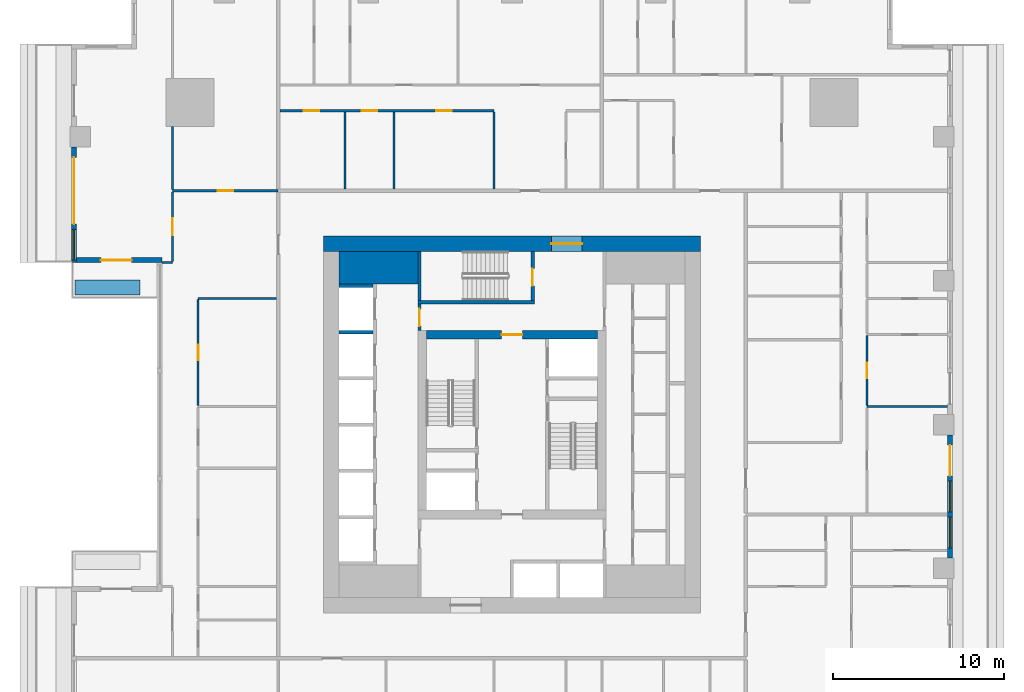
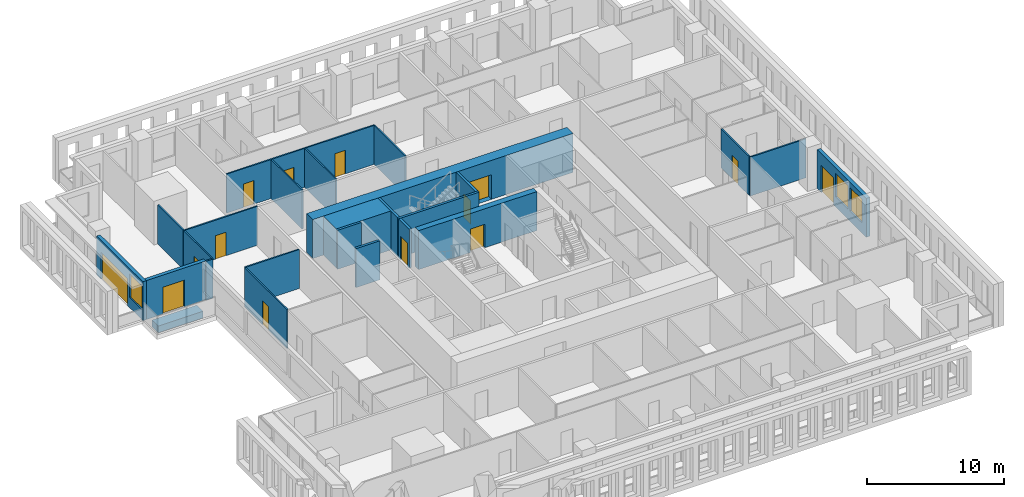
# One storey, part 6 of 14: 25 walls, 14 doors, 3 windows, 17 openings.
"""IFC4 building model written with IfcOpenShell, lengths in metres."""

import ifcopenshell
import ifcopenshell.guid

model = None  # the IFC model being written
_history = None  # IfcOwnerHistory: only IFC2X3 demands one
_inside = {}  # id of a spatial element -> (the spatial element, [elements in it])
_under = {}  # id of a project, library or spatial element -> (it, [spatial elements below it])
_declared = {}  # id of a project -> (the project, [libraries it declares])
_typed = {}  # id of a type object -> (the type object, [elements of that type])
_made_of = {}  # id of a material, layer set ... -> (it, [elements and type objects made of it])


def new_model(schema):
    """Start an empty IFC model of exactly this schema.

    Asked for "IFC4X3", IfcOpenShell would pick the latest addendum, in which some entities
    have other attributes; the version numbers below select the first issue.
    IFC2X3 requires an IfcOwnerHistory on every rooted entity: one is made here for all.
    """
    global model, _history
    if schema == "IFC4X3":
        model = ifcopenshell.file(schema_version=(4, 3, 0, 0))
    else:
        model = ifcopenshell.file(schema=schema)
    _inside.clear()
    _under.clear()
    _declared.clear()
    _typed.clear()
    _made_of.clear()
    _history = None
    if model.schema == "IFC2X3":
        org = make("IfcOrganization", Name="unknown")
        user = make(
            "IfcPersonAndOrganization",
            ThePerson=make("IfcPerson", FamilyName="unknown"),
            TheOrganization=org,
        )
        app = make(
            "IfcApplication",
            ApplicationDeveloper=org,
            Version="unknown",
            ApplicationFullName="unknown",
            ApplicationIdentifier="unknown",
        )
        _history = make(
            "IfcOwnerHistory",
            OwningUser=user,
            OwningApplication=app,
            ChangeAction="ADDED",
            CreationDate=0,
        )
    return model


def make(cls, **values):
    """One entity of the class cls with the attributes given. An attribute that is None is left unset."""
    return model.create_entity(
        cls, **{name: value for name, value in values.items() if value is not None}
    )


def rooted(cls, **values):
    """An entity with a GlobalId (a new one), such as an element, a storey or a relation."""
    return make(cls, GlobalId=ifcopenshell.guid.new(), OwnerHistory=_history, **values)


def si_unit(unit_type, name, prefix=None):
    """IfcSIUnit, for example si_unit("LENGTHUNIT", "METRE", prefix="MILLI")."""
    return make("IfcSIUnit", UnitType=unit_type, Prefix=prefix, Name=name)


def assignment(units):
    """IfcUnitAssignment: the units of a project."""
    return None if units is None else make("IfcUnitAssignment", Units=units)


def point(xyz):
    """IfcCartesianPoint."""
    return None if xyz is None else make("IfcCartesianPoint", Coordinates=xyz)


def direction(xyz):
    """IfcDirection."""
    return None if xyz is None else make("IfcDirection", DirectionRatios=xyz)


def frame(location, z_axis=None, x_axis=None):
    """IfcAxis2Placement3D, a coordinate frame: its origin and axes. An axis left out is left unset."""
    return make(
        "IfcAxis2Placement3D",
        Location=point(location),
        Axis=direction(z_axis),
        RefDirection=direction(x_axis),
    )


def frame_2d(location, x_axis=None):
    """IfcAxis2Placement2D, a coordinate frame in the plane: its origin and x axis."""
    return make(
        "IfcAxis2Placement2D", Location=point(location), RefDirection=direction(x_axis)
    )


def origin():
    """The frame at (0, 0, 0) with its axes left unset."""
    return frame((0.0, 0.0, 0.0))


def place(relative_to, where):
    """IfcLocalPlacement: puts the frame where relative to a parent placement (None: the world)."""
    return make(
        "IfcLocalPlacement", PlacementRelTo=relative_to, RelativePlacement=where
    )


def context(
    kind, dimensions, precision=None, world=None, true_north=None, identifier=None
):
    """IfcGeometricRepresentationContext, for example the 3D "Model" context."""
    return make(
        "IfcGeometricRepresentationContext",
        ContextIdentifier=identifier,
        ContextType=kind,
        CoordinateSpaceDimension=dimensions,
        Precision=precision,
        WorldCoordinateSystem=world,
        TrueNorth=true_north,
    )


def subcontext(parent, identifier, kind, view, scale=None):
    """IfcGeometricRepresentationSubContext, for example "Body" below "Model"."""
    return make(
        "IfcGeometricRepresentationSubContext",
        ContextIdentifier=identifier,
        ContextType=kind,
        ParentContext=parent,
        TargetScale=scale,
        TargetView=view,
    )


def project(units=None, contexts=None):
    """IfcProject with its units and contexts."""
    return rooted(
        "IfcProject",
        Name="project",
        RepresentationContexts=contexts,
        UnitsInContext=assignment(units),
    )


def spatial(cls, under=None, at=None, **own):
    """A site, building, storey or space (cls), placed at a placement, below another one or the project."""
    s = rooted(cls, ObjectPlacement=at, **own)
    if under is not None:
        _under.setdefault(under.id(), (under, []))[1].append(s)
    return s


def profile(cls, at=None, kind="AREA", **sizes):
    """A parametric profile (cls). Its sizes go by their IFC names, for example OverallWidth=200.0."""
    return make(cls, ProfileType=kind, Position=at, **sizes)


def rectangle(**sizes):
    """IfcRectangleProfileDef."""
    return profile("IfcRectangleProfileDef", **sizes)


def extrude(swept, where, along, depth):
    """IfcExtrudedAreaSolid: the profile swept, set in the frame where, extruded along a direction by depth."""
    return make(
        "IfcExtrudedAreaSolid",
        SweptArea=swept,
        Position=where,
        ExtrudedDirection=direction(along),
        Depth=depth,
    )


def shape(context_of_items, identifier, shape_type, items):
    """IfcShapeRepresentation: the items that make up one representation, for example the "Body"."""
    return make(
        "IfcShapeRepresentation",
        ContextOfItems=context_of_items,
        RepresentationIdentifier=identifier,
        RepresentationType=shape_type,
        Items=items,
    )


def material(Name=None, Category=None):
    """IfcMaterial."""
    return make("IfcMaterial", Name=Name, Category=Category)


def layer(
    of_material, thickness, ventilated=None, Name=None, Category=None, Priority=None
):
    """IfcMaterialLayer: one layer of a wall or slab, of a material (None: an air gap)."""
    return make(
        "IfcMaterialLayer",
        Material=of_material,
        LayerThickness=thickness,
        IsVentilated=ventilated,
        Name=Name,
        Category=Category,
        Priority=Priority,
    )


def layer_set(layers, Name=None):
    """IfcMaterialLayerSet."""
    return make("IfcMaterialLayerSet", MaterialLayers=layers, LayerSetName=Name)


def made_of(thing, what):
    """Note that an element or type object is made of a material, layer set ...; save() writes the relation."""
    if what is not None:
        _made_of.setdefault(what.id(), (what, []))[1].append(thing)
    return thing


def type_object(cls, material=None, **own):
    """A type object (cls), such as IfcWallType, which elements share."""
    return made_of(rooted(cls, **own), material)


def element(
    cls,
    number,
    at=None,
    inside=None,
    cuts=None,
    type_object=None,
    material=None,
    context=None,
    identifier="Body",
    shape_type=None,
    held_by="IfcProductDefinitionShape",
    body=None,
    shapes=None,
    **own,
):
    """One element of the class cls, such as IfcWall. Its Tag is "e" and its number.

    at: its placement. inside: the storey or other place that contains it. cuts: it is an
    opening in that element (IfcRelVoidsElement). A single representation is given by context,
    identifier, shape_type and body (its items); several are given by shapes. held_by: the class
    of the entity that holds the representations. save() writes the other relations.
    """
    e = rooted(cls, Tag="e%d" % number, ObjectPlacement=at, **own)
    if body is not None:
        shapes = [shape(context, identifier, shape_type, body)]
    if shapes is not None:
        e.Representation = make(held_by, Representations=shapes)
    if inside is not None:
        _inside.setdefault(inside.id(), (inside, []))[1].append(e)
    if cuts is not None:
        rooted(
            "IfcRelVoidsElement", RelatingBuildingElement=cuts, RelatedOpeningElement=e
        )
    if type_object is not None:
        _typed.setdefault(type_object.id(), (type_object, []))[1].append(e)
    return made_of(e, material)


def fill(opening, filler):
    """IfcRelFillsElement: the door or window that sits in an opening."""
    return rooted(
        "IfcRelFillsElement",
        RelatingOpeningElement=opening,
        RelatedBuildingElement=filler,
    )


def aggregate(whole, parts):
    """IfcRelAggregates: a whole, such as a stair, and the parts it consists of."""
    return rooted("IfcRelAggregates", RelatingObject=whole, RelatedObjects=parts)


def save(model, path):
    """Write the relations noted so far, then the file.

    IfcRelAggregates (storeys below a building ...), IfcRelContainedInSpatialStructure (elements
    in a storey), IfcRelDefinesByType, IfcRelAssociatesMaterial and IfcRelDeclares: one each for
    every whole, place, type object, material and project.
    """
    for whole, parts in _under.values():
        aggregate(whole, parts)
    for where, things in _inside.values():
        rooted(
            "IfcRelContainedInSpatialStructure",
            RelatedElements=things,
            RelatingStructure=where,
        )
    for kind, things in _typed.values():
        rooted("IfcRelDefinesByType", RelatedObjects=things, RelatingType=kind)
    for what, things in _made_of.values():
        rooted("IfcRelAssociatesMaterial", RelatedObjects=things, RelatingMaterial=what)
    for by, libraries in _declared.values():
        rooted("IfcRelDeclares", RelatingContext=by, RelatedDefinitions=libraries)
    model.write(path)


model = new_model("IFC4")

# Units and contexts
model_context = context("Model", 3, precision=1e-05, world=origin(), true_north=direction((0.0, 1.0)))
body_context = subcontext(model_context, "Body", "Model", "MODEL_VIEW")
ifc_project = project(units=[si_unit("LENGTHUNIT", "METRE"), si_unit("AREAUNIT", "SQUARE_METRE"), si_unit("VOLUMEUNIT", "CUBIC_METRE"), si_unit("PLANEANGLEUNIT", "RADIAN"), si_unit("MASSUNIT", "GRAM", prefix="KILO")], contexts=[model_context])

# Site, building, storey
site_placement = place(None, origin())
site = spatial("IfcSite", under=ifc_project, at=site_placement, CompositionType="ELEMENT")
building_placement = place(site_placement, origin())
building = spatial("IfcBuilding", under=site, at=building_placement, Name="Khepri Terraces", CompositionType="ELEMENT")
storey_placement = place(building_placement, frame((0.0, 0.0, 102.60009765625)))
storey = spatial("IfcBuildingStorey", under=building, at=storey_placement, Name="L24", CompositionType="ELEMENT", Elevation=102.60009765625)

# Walls
ifc_material_1 = material(Name="Concrete C70/85", Category="concrete")
ifc_layer_1 = layer(ifc_material_1, 1.89990234375, Name="Concrete C70/85", Category="concrete")
ifc_layer_set_1 = layer_set([ifc_layer_1], Name="Concrete C70/85")
wall_type_1 = type_object("IfcWallType", Name="Core wall 1900 C70/85", PredefinedType="SHEAR", material=ifc_layer_set_1)
wall_1_placement = place(storey_placement, frame((-10.10009765625, 9.14990234375, 0.0), z_axis=(0.0, 0.0, 1.0), x_axis=(1.0, 0.0, 0.0)))
element("IfcWall", 1, at=wall_1_placement, inside=storey, type_object=wall_type_1, Name="Core wall PR03 L24", PredefinedType="SHEAR", context=body_context, shape_type="SweptSolid", body=[
    extrude(rectangle(XDim=4.60009765625, YDim=1.89990234375, at=frame_2d((2.300048828125, 0.0))), origin(), (0.0, 0.0, 1.0), 3.47998046875),
])
ifc_layer_2 = layer(ifc_material_1, 0.199951171875, Name="Concrete C70/85", Category="concrete")
ifc_layer_set_2 = layer_set([ifc_layer_2], Name="Concrete C70/85")
wall_type_2 = type_object("IfcWallType", Name="Core wall 200 C70/85", PredefinedType="SHEAR", material=ifc_layer_set_2)
wall_2_placement = place(storey_placement, frame((-5.5, 7.14990234375, 0.0), z_axis=(0.0, 0.0, 1.0), x_axis=(1.0, 0.0, 0.0)))
element("IfcWall", 2, at=wall_2_placement, inside=storey, type_object=wall_type_2, Name="Core wall ST05 L24", PredefinedType="SHEAR", context=body_context, shape_type="SweptSolid", body=[
    extrude(rectangle(XDim=6.800048828125, YDim=0.199951171875, at=frame_2d((3.39990234375, 0.0))), origin(), (0.0, 0.0, 1.0), 3.47998046875),
])
wall_3_placement = place(storey_placement, frame((-5.39990234375, 7.25, 0.0), z_axis=(0.0, 0.0, 1.0), x_axis=(0.0, 1.0, 0.0)))
element("IfcWall", 3, at=wall_3_placement, inside=storey, type_object=wall_type_2, Name="Core wall ST06 L24", PredefinedType="SHEAR", context=body_context, shape_type="SweptSolid", body=[
    extrude(rectangle(XDim=2.85009765625, YDim=0.199951171875, at=frame_2d((1.425048828125, 0.0))), origin(), (0.0, 0.0, 1.0), 3.47998046875),
])

# Wall, opening, door
wall_4_placement = place(storey_placement, frame((1.199951171875, 7.25, 0.0), z_axis=(0.0, 0.0, 1.0), x_axis=(0.0, 1.0, 0.0)))
wall_4 = element("IfcWall", 4, at=wall_4_placement, inside=storey, type_object=wall_type_2, Name="Core wall ST07 L24", PredefinedType="SHEAR", context=body_context, shape_type="SweptSolid", body=[
    extrude(rectangle(XDim=2.85009765625, YDim=0.199951171875, at=frame_2d((1.425048828125, 0.0))), origin(), (0.0, 0.0, 1.0), 3.47998046875),
])
opening_1_placement = place(wall_4_placement, frame((0.85009765625, 0.0, 0.0)))
opening_1 = element("IfcOpeningElement", 5, at=opening_1_placement, cuts=wall_4, Name="Opening L24-C15", PredefinedType="OPENING", context=body_context, shape_type="SweptSolid", body=[
    extrude(rectangle(XDim=1.0, YDim=2.10009765625, at=frame_2d((0.5, 1.050048828125))), frame((0.0, 0.10986328125, 0.0), z_axis=(0.0, -1.0, 0.0), x_axis=(1.0, 0.0, 0.0)), (0.0, 0.0, 1.0), 0.219970703125),
])
ifc_material_2 = material(Name="Painted steel", Category="steel")
door_type_1 = type_object("IfcDoorType", Name="DR-CORE-STAIR-1000", OperationType="NOTDEFINED", PredefinedType="DOOR", material=ifc_material_2)
door_1_placement = place(opening_1_placement, origin())
door_1 = element("IfcDoor", 6, at=door_1_placement, inside=storey, type_object=door_type_1, Name="Stair door L24-C15", OperationType="SINGLE_SWING_LEFT", OverallHeight=2.10009765625, OverallWidth=1.0, PredefinedType="DOOR", context=body_context, shape_type="SweptSolid", body=[
    extrude(rectangle(XDim=1.0, YDim=2.10009765625, at=frame_2d((0.5, 1.050048828125))), frame((0.0, 0.02490234375, 0.0), z_axis=(0.0, -1.0, 0.0), x_axis=(1.0, 0.0, 0.0)), (0.0, 0.0, 1.0), 0.050048828125),
])
fill(opening_1, door_1)

# Walls
for number, where, z_axis, x_axis, name in (
    (7, (-10.10009765625, 5.39990234375, 0.0), (0.0, 0.0, 1.0), (1.0, 0.0, 0.0), "Core wall SH19 L24"),
    (8, (-10.10009765625, 8.10009765625, 0.0), (0.0, 0.0, 1.0), (1.0, 0.0, 0.0), "Core wall SH20 L24"),
):
    element("IfcWall", number, at=place(storey_placement, frame(where, z_axis=z_axis, x_axis=x_axis)), inside=storey, type_object=wall_type_2, Name=name, PredefinedType="SHEAR", context=body_context, shape_type="SweptSolid", body=[
        extrude(rectangle(XDim=2.0, YDim=0.199951171875, at=frame_2d((1.0, 0.0))), origin(), (0.0, 0.0, 1.0), 3.47998046875),
    ])

# Wall, opening, door
ifc_layer_3 = layer(ifc_material_1, 0.5, Name="Concrete C70/85", Category="concrete")
ifc_layer_set_3 = layer_set([ifc_layer_3], Name="Concrete C70/85")
wall_type_3 = type_object("IfcWallType", Name="Core wall 500 C70/85", PredefinedType="SHEAR", material=ifc_layer_set_3)
wall_5_placement = place(storey_placement, frame((-5.0, 5.25, 0.0), z_axis=(0.0, 0.0, 1.0), x_axis=(1.0, 0.0, 0.0)))
wall_5 = element("IfcWall", 9, at=wall_5_placement, inside=storey, type_object=wall_type_3, Name="Core wall BX04 L24", PredefinedType="SHEAR", context=body_context, shape_type="SweptSolid", body=[
    extrude(rectangle(XDim=10.0, YDim=0.5, at=frame_2d((5.0, 0.0))), origin(), (0.0, 0.0, 1.0), 3.47998046875),
])
opening_2_placement = place(wall_5_placement, frame((4.39990234375, 0.0, 0.0)))
opening_2 = element("IfcOpeningElement", 10, at=opening_2_placement, cuts=wall_5, Name="Opening L24-C13", PredefinedType="OPENING", context=body_context, shape_type="SweptSolid", body=[
    extrude(rectangle(XDim=1.199951171875, YDim=2.10009765625, at=frame_2d((0.60009765625, 1.050048828125))), frame((0.0, 0.260009765625, 0.0), z_axis=(0.0, -1.0, 0.0), x_axis=(1.0, 0.0, 0.0)), (0.0, 0.0, 1.0), 0.52001953125),
])
door_type_2 = type_object("IfcDoorType", Name="DR-CORE-FF-LOBBY-1200", OperationType="NOTDEFINED", PredefinedType="DOOR", material=ifc_material_2)
door_2_placement = place(opening_2_placement, frame((1.199951171875, 0.0, 0.0), z_axis=(0.0, 0.0, 1.0), x_axis=(-1.0, 0.0, 0.0)))
door_2 = element("IfcDoor", 11, at=door_2_placement, inside=storey, type_object=door_type_2, Name="Firefighting lobby door L24-C13", OperationType="SINGLE_SWING_LEFT", OverallHeight=2.10009765625, OverallWidth=1.199951171875, PredefinedType="DOOR", context=body_context, shape_type="SweptSolid", body=[
    extrude(rectangle(XDim=1.199951171875, YDim=2.10009765625, at=frame_2d((0.60009765625, 1.050048828125))), frame((0.0, 0.02490234375, 0.0), z_axis=(0.0, -1.0, 0.0), x_axis=(1.0, 0.0, 0.0)), (0.0, 0.0, 1.0), 0.050048828125),
])
fill(opening_2, door_2)

ifc_layer_4 = layer(ifc_material_1, 0.89990234375, Name="Concrete C70/85", Category="concrete")
ifc_layer_set_4 = layer_set([ifc_layer_4], Name="Concrete C70/85")
wall_type_4 = type_object("IfcWallType", Name="Core wall 900 C70/85", PredefinedType="SHEAR", material=ifc_layer_set_4)
wall_6_placement = place(storey_placement, frame((-11.0, 10.550048828125, 0.0), z_axis=(0.0, 0.0, 1.0), x_axis=(1.0, 0.0, 0.0)))
wall_6 = element("IfcWall", 12, at=wall_6_placement, inside=storey, type_object=wall_type_4, Name="Core wall OW-N L24", PredefinedType="SHEAR", context=body_context, shape_type="SweptSolid", body=[
    extrude(rectangle(XDim=22.0, YDim=0.89990234375, at=frame_2d((11.0, 0.0))), origin(), (0.0, 0.0, 1.0), 3.47998046875),
])
opening_3_placement = place(wall_6_placement, frame((13.300048828125, 0.0, 0.0)))
opening_3 = element("IfcOpeningElement", 13, at=opening_3_placement, cuts=wall_6, Name="Opening L24-C20", PredefinedType="OPENING", context=body_context, shape_type="SweptSolid", body=[
    extrude(rectangle(XDim=1.800048828125, YDim=2.199951171875, at=frame_2d((0.89990234375, 1.10009765625))), frame((0.0, 0.4599609375, 0.0), z_axis=(0.0, -1.0, 0.0), x_axis=(1.0, 0.0, 0.0)), (0.0, 0.0, 1.0), 0.919921875),
])
door_type_3 = type_object("IfcDoorType", Name="DR-CORE-ENTRANCE-1800", OperationType="NOTDEFINED", PredefinedType="DOOR", material=ifc_material_2)
door_3_placement = place(opening_3_placement, origin())
door_3 = element("IfcDoor", 14, at=door_3_placement, inside=storey, type_object=door_type_3, Name="Core entrance door pair L24-C20", OperationType="DOUBLE_DOOR_SINGLE_SWING", OverallHeight=2.199951171875, OverallWidth=1.800048828125, PredefinedType="DOOR", context=body_context, shape_type="SweptSolid", body=[
    extrude(rectangle(XDim=1.800048828125, YDim=2.199951171875, at=frame_2d((0.89990234375, 1.10009765625))), frame((0.0, 0.02490234375, 0.0), z_axis=(0.0, -1.0, 0.0), x_axis=(1.0, 0.0, 0.0)), (0.0, 0.0, 1.0), 0.050048828125),
])
fill(opening_3, door_3)

ifc_material_3 = material(Name="Fire-rated gypsum board partition")
ifc_layer_5 = layer(ifc_material_3, 0.199951171875, Name="Fire-rated gypsum board partition")
ifc_layer_set_5 = layer_set([ifc_layer_5], Name="Fire-rated gypsum board partition")
wall_type_5 = type_object("IfcWallType", Name="WL-CORE-PART-200", PredefinedType="PARTITIONING", material=ifc_layer_set_5)
wall_7_placement = place(storey_placement, frame((-5.39990234375, 5.5, 0.0), z_axis=(0.0, 0.0, 1.0), x_axis=(0.0, 1.0, 0.0)))
wall_7 = element("IfcWall", 15, at=wall_7_placement, inside=storey, type_object=wall_type_5, Name="Core partition PT08 L24", PredefinedType="PARTITIONING", context=body_context, shape_type="SweptSolid", body=[
    extrude(rectangle(XDim=1.550048828125, YDim=0.199951171875, at=frame_2d((0.77490234375, 0.0))), origin(), (0.0, 0.0, 1.0), 3.47998046875),
])
opening_4_placement = place(wall_7_placement, frame((0.25, 0.0, 0.0)))
opening_4 = element("IfcOpeningElement", 16, at=opening_4_placement, cuts=wall_7, Name="Opening L24-C16", PredefinedType="OPENING", context=body_context, shape_type="SweptSolid", body=[
    extrude(rectangle(XDim=1.0, YDim=2.10009765625, at=frame_2d((0.5, 1.050048828125))), frame((0.0, 0.10986328125, 0.0), z_axis=(0.0, -1.0, 0.0), x_axis=(1.0, 0.0, 0.0)), (0.0, 0.0, 1.0), 0.219970703125),
])
door_type_4 = type_object("IfcDoorType", Name="DR-CORE-LOBBY-1000", OperationType="NOTDEFINED", PredefinedType="DOOR", material=ifc_material_2)
door_4_placement = place(opening_4_placement, frame((1.0, 0.0, 0.0), z_axis=(0.0, 0.0, 1.0), x_axis=(-1.0, 0.0, 0.0)))
door_4 = element("IfcDoor", 17, at=door_4_placement, inside=storey, type_object=door_type_4, Name="Lobby door L24-C16", OperationType="SINGLE_SWING_RIGHT", OverallHeight=2.10009765625, OverallWidth=1.0, PredefinedType="DOOR", context=body_context, shape_type="SweptSolid", body=[
    extrude(rectangle(XDim=1.0, YDim=2.10009765625, at=frame_2d((0.5, 1.050048828125))), frame((0.0, 0.02490234375, 0.0), z_axis=(0.0, -1.0, 0.0), x_axis=(1.0, 0.0, 0.0)), (0.0, 0.0, 1.0), 0.050048828125),
])
fill(opening_4, door_4)

# Wall, openings, door, windows
ifc_material_4 = material(Name="Precast concrete C50/60 warm stone", Category="masonry")
ifc_layer_6 = layer(ifc_material_4, 0.300048828125, Name="Precast concrete C50/60 warm stone", Category="masonry")
ifc_layer_set_6 = layer_set([ifc_layer_6], Name="Precast concrete C50/60 warm stone")
wall_type_6 = type_object("IfcWallType", Name="WL-EXT-PRECAST-300", PredefinedType="STANDARD", material=ifc_layer_set_6)
wall_8_placement = place(storey_placement, frame((25.570068359375, -7.800048828125, 0.0), z_axis=(0.0, 0.0, 1.0), x_axis=(0.0, 1.0, 0.0)))
wall_8 = element("IfcWall", 18, at=wall_8_placement, inside=storey, type_object=wall_type_6, Name="External wall L24 E", PredefinedType="STANDARD", context=body_context, shape_type="SweptSolid", body=[
    extrude(rectangle(XDim=7.199951171875, YDim=0.300048828125, at=frame_2d((3.60009765625, 0.0))), origin(), (0.0, 0.0, 1.0), 3.47998046875),
])
opening_5_placement = place(wall_8_placement, frame((0.60009765625, 0.0, 0.89990234375)))
opening_5 = element("IfcOpeningElement", 19, at=opening_5_placement, cuts=wall_8, Name="Opening W1", PredefinedType="OPENING", context=body_context, shape_type="SweptSolid", body=[
    extrude(rectangle(XDim=1.800048828125, YDim=2.10009765625, at=frame_2d((0.89990234375, 1.050048828125))), frame((0.0, 0.16015625, 0.0), z_axis=(0.0, -1.0, 0.0), x_axis=(1.0, 0.0, 0.0)), (0.0, 0.0, 1.0), 0.320068359375),
])
opening_6_placement = place(wall_8_placement, frame((2.699951171875, 0.0, 0.89990234375)))
opening_6 = element("IfcOpeningElement", 20, at=opening_6_placement, cuts=wall_8, Name="Opening W1", PredefinedType="OPENING", context=body_context, shape_type="SweptSolid", body=[
    extrude(rectangle(XDim=1.800048828125, YDim=2.10009765625, at=frame_2d((0.89990234375, 1.050048828125))), frame((0.0, 0.16015625, 0.0), z_axis=(0.0, -1.0, 0.0), x_axis=(1.0, 0.0, 0.0)), (0.0, 0.0, 1.0), 0.320068359375),
])
opening_7_placement = place(wall_8_placement, frame((4.800048828125, 0.0, 0.0)))
opening_7 = element("IfcOpeningElement", 21, at=opening_7_placement, cuts=wall_8, Name="Opening ED-L24-04", PredefinedType="OPENING", context=body_context, shape_type="SweptSolid", body=[
    extrude(rectangle(XDim=1.800048828125, YDim=2.39990234375, at=frame_2d((0.89990234375, 1.199951171875))), frame((0.0, 0.16015625, 0.0), z_axis=(0.0, -1.0, 0.0), x_axis=(1.0, 0.0, 0.0)), (0.0, 0.0, 1.0), 0.320068359375),
])
ifc_material_5 = material(Name="Anodised aluminium bronze glazed door", Category="aluminium")
door_type_5 = type_object("IfcDoorType", Name="DR-BAL-SLIDE-1800x2400", OperationType="NOTDEFINED", PredefinedType="DOOR", material=ifc_material_5)
door_5_placement = place(opening_7_placement, origin())
door_5 = element("IfcDoor", 22, at=door_5_placement, inside=storey, type_object=door_type_5, Name="Balcony door L24 E", OperationType="SLIDING_TO_RIGHT", OverallHeight=2.39990234375, OverallWidth=1.800048828125, PredefinedType="DOOR", context=body_context, shape_type="SweptSolid", body=[
    extrude(rectangle(XDim=1.800048828125, YDim=2.39990234375, at=frame_2d((0.89990234375, 1.199951171875))), frame((0.0, 0.02490234375, 0.0), z_axis=(0.0, -1.0, 0.0), x_axis=(1.0, 0.0, 0.0)), (0.0, 0.0, 1.0), 0.050048828125),
])
fill(opening_7, door_5)
ifc_material_6 = material(Name="Clear glass", Category="glass")
window_type = type_object("IfcWindowType", Name="WIN-RES-1800x2100", PartitioningType="SINGLE_PANEL", PredefinedType="WINDOW", material=ifc_material_6)
window_1_placement = place(opening_5_placement, origin())
window_1 = element("IfcWindow", 23, at=window_1_placement, inside=storey, type_object=window_type, Name="Window L24 E", OverallHeight=2.10009765625, OverallWidth=1.800048828125, PartitioningType="SINGLE_PANEL", PredefinedType="WINDOW", context=body_context, shape_type="SweptSolid", body=[
    extrude(rectangle(XDim=1.800048828125, YDim=2.10009765625, at=frame_2d((0.89990234375, 1.050048828125))), frame((0.0, 0.030029296875, 0.0), z_axis=(0.0, -1.0, 0.0), x_axis=(1.0, 0.0, 0.0)), (0.0, 0.0, 1.0), 0.06005859375),
])
fill(opening_5, window_1)
window_2_placement = place(opening_6_placement, origin())
window_2 = element("IfcWindow", 24, at=window_2_placement, inside=storey, type_object=window_type, Name="Window L24 E", OverallHeight=2.10009765625, OverallWidth=1.800048828125, PartitioningType="SINGLE_PANEL", PredefinedType="WINDOW", context=body_context, shape_type="SweptSolid", body=[
    extrude(rectangle(XDim=1.800048828125, YDim=2.10009765625, at=frame_2d((0.89990234375, 1.050048828125))), frame((0.0, 0.030029296875, 0.0), z_axis=(0.0, -1.0, 0.0), x_axis=(1.0, 0.0, 0.0)), (0.0, 0.0, 1.0), 0.06005859375),
])
fill(opening_6, window_2)

# Wall, openings, door, window
wall_9_placement = place(storey_placement, frame((-25.570068359375, 16.199951171875, 0.0), z_axis=(0.0, 0.0, 1.0), x_axis=(0.0, -1.0, 0.0)))
wall_9 = element("IfcWall", 25, at=wall_9_placement, inside=storey, type_object=wall_type_6, Name="External wall L24 W", PredefinedType="STANDARD", context=body_context, shape_type="SweptSolid", body=[
    extrude(rectangle(XDim=6.75, YDim=0.300048828125, at=frame_2d((3.375, 0.0))), origin(), (0.0, 0.0, 1.0), 3.47998046875),
])
opening_8_placement = place(wall_9_placement, frame((0.60009765625, 0.0, 0.0)))
opening_8 = element("IfcOpeningElement", 26, at=opening_8_placement, cuts=wall_9, Name="Opening ED-L24-15", PredefinedType="OPENING", context=body_context, shape_type="SweptSolid", body=[
    extrude(rectangle(XDim=3.89990234375, YDim=2.39990234375, at=frame_2d((1.949951171875, 1.199951171875))), frame((0.0, 0.16015625, 0.0), z_axis=(0.0, -1.0, 0.0), x_axis=(1.0, 0.0, 0.0)), (0.0, 0.0, 1.0), 0.320068359375),
])
opening_9_placement = place(wall_9_placement, frame((4.800048828125, 0.0, 0.89990234375)))
opening_9 = element("IfcOpeningElement", 27, at=opening_9_placement, cuts=wall_9, Name="Opening W1", PredefinedType="OPENING", context=body_context, shape_type="SweptSolid", body=[
    extrude(rectangle(XDim=1.800048828125, YDim=2.10009765625, at=frame_2d((0.89990234375, 1.050048828125))), frame((0.0, 0.16015625, 0.0), z_axis=(0.0, -1.0, 0.0), x_axis=(1.0, 0.0, 0.0)), (0.0, 0.0, 1.0), 0.320068359375),
])
door_type_6 = type_object("IfcDoorType", Name="DR-BAL-SLIDE-3900x2400", OperationType="NOTDEFINED", PredefinedType="DOOR", material=ifc_material_5)
door_6_placement = place(opening_8_placement, origin())
door_6 = element("IfcDoor", 28, at=door_6_placement, inside=storey, type_object=door_type_6, Name="Balcony door L24 W", OperationType="SLIDING_TO_LEFT", OverallHeight=2.39990234375, OverallWidth=3.89990234375, PredefinedType="DOOR", context=body_context, shape_type="SweptSolid", body=[
    extrude(rectangle(XDim=3.89990234375, YDim=2.39990234375, at=frame_2d((1.949951171875, 1.199951171875))), frame((0.0, 0.02490234375, 0.0), z_axis=(0.0, -1.0, 0.0), x_axis=(1.0, 0.0, 0.0)), (0.0, 0.0, 1.0), 0.050048828125),
])
fill(opening_8, door_6)
window_3_placement = place(opening_9_placement, origin())
window_3 = element("IfcWindow", 29, at=window_3_placement, inside=storey, type_object=window_type, Name="Window L24 W", OverallHeight=2.10009765625, OverallWidth=1.800048828125, PartitioningType="SINGLE_PANEL", PredefinedType="WINDOW", context=body_context, shape_type="SweptSolid", body=[
    extrude(rectangle(XDim=1.800048828125, YDim=2.10009765625, at=frame_2d((0.89990234375, 1.050048828125))), frame((0.0, 0.030029296875, 0.0), z_axis=(0.0, -1.0, 0.0), x_axis=(1.0, 0.0, 0.0)), (0.0, 0.0, 1.0), 0.06005859375),
])
fill(opening_9, window_3)

# Wall, opening, door
wall_10_placement = place(storey_placement, frame((-25.419921875, 9.60009765625, 0.0), z_axis=(0.0, 0.0, 1.0), x_axis=(1.0, 0.0, 0.0)))
wall_10 = element("IfcWall", 30, at=wall_10_placement, inside=storey, type_object=wall_type_6, Name="External wall L24 S", PredefinedType="STANDARD", context=body_context, shape_type="SweptSolid", body=[
    extrude(rectangle(XDim=5.0, YDim=0.300048828125, at=frame_2d((2.5, 0.0))), origin(), (0.0, 0.0, 1.0), 3.47998046875),
])
opening_10_placement = place(wall_10_placement, frame((1.419921875, 0.0, 0.0)))
opening_10 = element("IfcOpeningElement", 31, at=opening_10_placement, cuts=wall_10, Name="Opening ED-L24-16", PredefinedType="OPENING", context=body_context, shape_type="SweptSolid", body=[
    extrude(rectangle(XDim=1.800048828125, YDim=2.39990234375, at=frame_2d((0.89990234375, 1.199951171875))), frame((0.0, 0.16015625, 0.0), z_axis=(0.0, -1.0, 0.0), x_axis=(1.0, 0.0, 0.0)), (0.0, 0.0, 1.0), 0.320068359375),
])
door_7_placement = place(opening_10_placement, origin())
door_7 = element("IfcDoor", 32, at=door_7_placement, inside=storey, type_object=door_type_5, Name="Balcony door L24 S", OperationType="SLIDING_TO_LEFT", OverallHeight=2.39990234375, OverallWidth=1.800048828125, PredefinedType="DOOR", context=body_context, shape_type="SweptSolid", body=[
    extrude(rectangle(XDim=1.800048828125, YDim=2.39990234375, at=frame_2d((0.89990234375, 1.199951171875))), frame((0.0, 0.02490234375, 0.0), z_axis=(0.0, -1.0, 0.0), x_axis=(1.0, 0.0, 0.0)), (0.0, 0.0, 1.0), 0.050048828125),
])
fill(opening_10, door_7)

# Wall
ifc_material_7 = material(Name="Gypsum plasterboard partition")
ifc_layer_7 = layer(ifc_material_7, 0.1201171875, Name="Gypsum plasterboard partition")
ifc_layer_set_7 = layer_set([ifc_layer_7], Name="Gypsum plasterboard partition")
wall_type_7 = type_object("IfcWallType", Name="WL-PART-120", PredefinedType="PARTITIONING", material=ifc_layer_set_7)
wall_11_placement = place(storey_placement, frame((20.719970703125, 1.050048828125, 0.0), z_axis=(0.0, 0.0, 1.0), x_axis=(1.0, 0.0, 0.0)))
element("IfcWall", 33, at=wall_11_placement, inside=storey, type_object=wall_type_7, Name="Partition P-049 L24", PredefinedType="PARTITIONING", context=body_context, shape_type="SweptSolid", body=[
    extrude(rectangle(XDim=4.699951171875, YDim=0.1201171875, at=frame_2d((2.35009765625, 0.0))), origin(), (0.0, 0.0, 1.0), 3.47998046875),
])

# Wall, opening, door
wall_12_placement = place(storey_placement, frame((-18.320068359375, 1.110107421875, 0.0), z_axis=(0.0, 0.0, 1.0), x_axis=(0.0, 1.0, 0.0)))
wall_12 = element("IfcWall", 34, at=wall_12_placement, inside=storey, type_object=wall_type_7, Name="Partition P-050 L24", PredefinedType="PARTITIONING", context=body_context, shape_type="SweptSolid", body=[
    extrude(rectangle(XDim=6.179931640625, YDim=0.1201171875, at=frame_2d((3.08984375, 0.0))), origin(), (0.0, 0.0, 1.0), 3.47998046875),
])
opening_11_placement = place(wall_12_placement, frame((2.639892578125, 0.0, 0.0)))
opening_11 = element("IfcOpeningElement", 35, at=opening_11_placement, cuts=wall_12, Name="Opening D3", PredefinedType="OPENING", context=body_context, shape_type="SweptSolid", body=[
    extrude(rectangle(XDim=0.89990234375, YDim=2.10009765625, at=frame_2d((0.449951171875, 1.050048828125))), frame((0.0, 0.070068359375, 0.0), z_axis=(0.0, -1.0, 0.0), x_axis=(1.0, 0.0, 0.0)), (0.0, 0.0, 1.0), 0.14013671875),
])
ifc_material_8 = material(Name="Timber door leaf", Category="wood")
door_type_7 = type_object("IfcDoorType", Name="DR-INT-900", OperationType="NOTDEFINED", PredefinedType="DOOR", material=ifc_material_8)
door_8_placement = place(opening_11_placement, frame((0.89990234375, 0.0, 0.0), z_axis=(0.0, 0.0, 1.0), x_axis=(-1.0, 0.0, 0.0)))
door_8 = element("IfcDoor", 36, at=door_8_placement, inside=storey, type_object=door_type_7, Name="Door Kitchen", OperationType="SINGLE_SWING_LEFT", OverallHeight=2.10009765625, OverallWidth=0.89990234375, PredefinedType="DOOR", context=body_context, shape_type="SweptSolid", body=[
    extrude(rectangle(XDim=0.89990234375, YDim=2.10009765625, at=frame_2d((0.449951171875, 1.050048828125))), frame((0.0, 0.02490234375, 0.0), z_axis=(0.0, -1.0, 0.0), x_axis=(1.0, 0.0, 0.0)), (0.0, 0.0, 1.0), 0.050048828125),
])
fill(opening_11, door_8)

wall_13_placement = place(storey_placement, frame((20.719970703125, 1.110107421875, 0.0), z_axis=(0.0, 0.0, 1.0), x_axis=(0.0, 1.0, 0.0)))
wall_13 = element("IfcWall", 37, at=wall_13_placement, inside=storey, type_object=wall_type_7, Name="Partition P-051 L24", PredefinedType="PARTITIONING", context=body_context, shape_type="SweptSolid", body=[
    extrude(rectangle(XDim=4.079833984375, YDim=0.1201171875, at=frame_2d((2.0400390625, 0.0))), origin(), (0.0, 0.0, 1.0), 3.47998046875),
])
opening_12_placement = place(wall_13_placement, frame((1.590087890625, 0.0, 0.0)))
opening_12 = element("IfcOpeningElement", 38, at=opening_12_placement, cuts=wall_13, Name="Opening D3", PredefinedType="OPENING", context=body_context, shape_type="SweptSolid", body=[
    extrude(rectangle(XDim=0.89990234375, YDim=2.10009765625, at=frame_2d((0.449951171875, 1.050048828125))), frame((0.0, 0.070068359375, 0.0), z_axis=(0.0, -1.0, 0.0), x_axis=(1.0, 0.0, 0.0)), (0.0, 0.0, 1.0), 0.14013671875),
])
door_9_placement = place(opening_12_placement, frame((0.89990234375, 0.0, 0.0), z_axis=(0.0, 0.0, 1.0), x_axis=(-1.0, 0.0, 0.0)))
door_9 = element("IfcDoor", 39, at=door_9_placement, inside=storey, type_object=door_type_7, Name="Door Master Bedroom", OperationType="SINGLE_SWING_LEFT", OverallHeight=2.10009765625, OverallWidth=0.89990234375, PredefinedType="DOOR", context=body_context, shape_type="SweptSolid", body=[
    extrude(rectangle(XDim=0.89990234375, YDim=2.10009765625, at=frame_2d((0.449951171875, 1.050048828125))), frame((0.0, 0.02490234375, 0.0), z_axis=(0.0, -1.0, 0.0), x_axis=(1.0, 0.0, 0.0)), (0.0, 0.0, 1.0), 0.050048828125),
])
fill(opening_12, door_9)

# Walls
wall_14_placement = place(storey_placement, frame((-18.320068359375, 7.35009765625, 0.0), z_axis=(0.0, 0.0, 1.0), x_axis=(1.0, 0.0, 0.0)))
element("IfcWall", 40, at=wall_14_placement, inside=storey, type_object=wall_type_7, Name="Partition P-056 L24", PredefinedType="PARTITIONING", context=body_context, shape_type="SweptSolid", body=[
    extrude(rectangle(XDim=4.570068359375, YDim=0.1201171875, at=frame_2d((2.28515625, 0.0))), origin(), (0.0, 0.0, 1.0), 3.47998046875),
])
wall_15_placement = place(storey_placement, frame((-20.419921875, 9.449951171875, 0.0), z_axis=(0.0, 0.0, 1.0), x_axis=(1.0, 0.0, 0.0)))
element("IfcWall", 41, at=wall_15_placement, inside=storey, type_object=wall_type_7, Name="Partition P-061 L24", PredefinedType="PARTITIONING", context=body_context, shape_type="SweptSolid", body=[
    extrude(rectangle(XDim=0.599853515625, YDim=0.1201171875, at=frame_2d((0.2998046875, 0.0))), origin(), (0.0, 0.0, 1.0), 3.47998046875),
])

# Wall, opening, door
wall_16_placement = place(storey_placement, frame((-19.820068359375, 9.510009765625, 0.0), z_axis=(0.0, 0.0, 1.0), x_axis=(0.0, 1.0, 0.0)))
wall_16 = element("IfcWall", 42, at=wall_16_placement, inside=storey, type_object=wall_type_7, Name="Partition P-064 L24", PredefinedType="PARTITIONING", context=body_context, shape_type="SweptSolid", body=[
    extrude(rectangle(XDim=4.080078125, YDim=0.1201171875, at=frame_2d((2.0400390625, 0.0))), origin(), (0.0, 0.0, 1.0), 3.47998046875),
])
opening_13_placement = place(wall_16_placement, frame((1.5400390625, 0.0, 0.0)))
opening_13 = element("IfcOpeningElement", 43, at=opening_13_placement, cuts=wall_16, Name="Opening D2", PredefinedType="OPENING", context=body_context, shape_type="SweptSolid", body=[
    extrude(rectangle(XDim=1.0, YDim=2.10009765625, at=frame_2d((0.5, 1.050048828125))), frame((0.0, 0.070068359375, 0.0), z_axis=(0.0, -1.0, 0.0), x_axis=(1.0, 0.0, 0.0)), (0.0, 0.0, 1.0), 0.14013671875),
])
ifc_material_9 = material(Name="Timber door leaf, living room door", Category="wood")
door_type_8 = type_object("IfcDoorType", Name="DR-INT-1000", OperationType="NOTDEFINED", PredefinedType="DOOR", material=ifc_material_9)
door_10_placement = place(opening_13_placement, origin())
door_10 = element("IfcDoor", 44, at=door_10_placement, inside=storey, type_object=door_type_8, Name="Door Living Room", OperationType="SINGLE_SWING_RIGHT", OverallHeight=2.10009765625, OverallWidth=1.0, PredefinedType="DOOR", context=body_context, shape_type="SweptSolid", body=[
    extrude(rectangle(XDim=1.0, YDim=2.10009765625, at=frame_2d((0.5, 1.050048828125))), frame((0.0, 0.02490234375, 0.0), z_axis=(0.0, -1.0, 0.0), x_axis=(1.0, 0.0, 0.0)), (0.0, 0.0, 1.0), 0.050048828125),
])
fill(opening_13, door_10)

wall_17_placement = place(storey_placement, frame((-19.820068359375, 13.64990234375, 0.0), z_axis=(0.0, 0.0, 1.0), x_axis=(1.0, 0.0, 0.0)))
wall_17 = element("IfcWall", 45, at=wall_17_placement, inside=storey, type_object=wall_type_7, Name="Partition P-069 L24", PredefinedType="PARTITIONING", context=body_context, shape_type="SweptSolid", body=[
    extrude(rectangle(XDim=6.170166015625, YDim=0.1201171875, at=frame_2d((3.0849609375, 0.0))), origin(), (0.0, 0.0, 1.0), 3.47998046875),
])
opening_14_placement = place(wall_17_placement, frame((2.635009765625, 0.0, 0.0)))
opening_14 = element("IfcOpeningElement", 46, at=opening_14_placement, cuts=wall_17, Name="Opening D3", PredefinedType="OPENING", context=body_context, shape_type="SweptSolid", body=[
    extrude(rectangle(XDim=0.89990234375, YDim=2.10009765625, at=frame_2d((0.449951171875, 1.050048828125))), frame((0.0, 0.070068359375, 0.0), z_axis=(0.0, -1.0, 0.0), x_axis=(1.0, 0.0, 0.0)), (0.0, 0.0, 1.0), 0.14013671875),
])
door_11_placement = place(opening_14_placement, origin())
door_11 = element("IfcDoor", 47, at=door_11_placement, inside=storey, type_object=door_type_7, Name="Door Library", OperationType="SINGLE_SWING_RIGHT", OverallHeight=2.10009765625, OverallWidth=0.89990234375, PredefinedType="DOOR", context=body_context, shape_type="SweptSolid", body=[
    extrude(rectangle(XDim=0.89990234375, YDim=2.10009765625, at=frame_2d((0.449951171875, 1.050048828125))), frame((0.0, 0.02490234375, 0.0), z_axis=(0.0, -1.0, 0.0), x_axis=(1.0, 0.0, 0.0)), (0.0, 0.0, 1.0), 0.050048828125),
])
fill(opening_14, door_11)

# Walls
wall_18_placement = place(storey_placement, frame((-19.820068359375, 13.7099609375, 0.0), z_axis=(0.0, 0.0, 1.0), x_axis=(0.0, 1.0, 0.0)))
element("IfcWall", 48, at=wall_18_placement, inside=storey, type_object=wall_type_7, Name="Partition P-071 L24", PredefinedType="PARTITIONING", context=body_context, shape_type="SweptSolid", body=[
    extrude(rectangle(XDim=3.68994140625, YDim=0.1201171875, at=frame_2d((1.844970703125, 0.0))), origin(), (0.0, 0.0, 1.0), 3.47998046875),
])
for number, where, z_axis, x_axis, name in (
    (49, (-9.75, 13.75, 0.0), (0.0, 0.0, 1.0), (0.0, 1.0, 0.0), "Partition P-073 L24"),
    (50, (-6.89990234375, 13.75, 0.0), (0.0, 0.0, 1.0), (0.0, 1.0, 0.0), "Partition P-074 L24"),
    (51, (-1.050048828125, 13.75, 0.0), (0.0, 0.0, 1.0), (0.0, 1.0, 0.0), "Partition P-075 L24"),
):
    element("IfcWall", number, at=place(storey_placement, frame(where, z_axis=z_axis, x_axis=x_axis)), inside=storey, type_object=wall_type_7, Name=name, PredefinedType="PARTITIONING", context=body_context, shape_type="SweptSolid", body=[
        extrude(rectangle(XDim=4.510009765625, YDim=0.1201171875, at=frame_2d((2.2548828125, 0.0))), origin(), (0.0, 0.0, 1.0), 3.47998046875),
    ])

# Wall, openings, doors
wall_19_placement = place(storey_placement, frame((-13.550048828125, 18.320068359375, 0.0), z_axis=(0.0, 0.0, 1.0), x_axis=(1.0, 0.0, 0.0)))
wall_19 = element("IfcWall", 52, at=wall_19_placement, inside=storey, type_object=wall_type_7, Name="Partition P-081 L24", PredefinedType="PARTITIONING", context=body_context, shape_type="SweptSolid", body=[
    extrude(rectangle(XDim=12.5, YDim=0.1201171875, at=frame_2d((6.25, 0.0))), origin(), (0.0, 0.0, 1.0), 3.47998046875),
])
opening_15_placement = place(wall_19_placement, frame((9.125, 0.0, 0.0)))
opening_15 = element("IfcOpeningElement", 53, at=opening_15_placement, cuts=wall_19, Name="Opening D3", PredefinedType="OPENING", context=body_context, shape_type="SweptSolid", body=[
    extrude(rectangle(XDim=0.89990234375, YDim=2.10009765625, at=frame_2d((0.449951171875, 1.050048828125))), frame((0.0, 0.070068359375, 0.0), z_axis=(0.0, -1.0, 0.0), x_axis=(1.0, 0.0, 0.0)), (0.0, 0.0, 1.0), 0.14013671875),
])
opening_16_placement = place(wall_19_placement, frame((4.77490234375, 0.0, 0.0)))
opening_16 = element("IfcOpeningElement", 54, at=opening_16_placement, cuts=wall_19, Name="Opening D4", PredefinedType="OPENING", context=body_context, shape_type="SweptSolid", body=[
    extrude(rectangle(XDim=0.89990234375, YDim=2.10009765625, at=frame_2d((0.449951171875, 1.050048828125))), frame((0.0, 0.070068359375, 0.0), z_axis=(0.0, -1.0, 0.0), x_axis=(1.0, 0.0, 0.0)), (0.0, 0.0, 1.0), 0.14013671875),
])
opening_17_placement = place(wall_19_placement, frame((1.39990234375, 0.0, 0.0)))
opening_17 = element("IfcOpeningElement", 55, at=opening_17_placement, cuts=wall_19, Name="Opening D3", PredefinedType="OPENING", context=body_context, shape_type="SweptSolid", body=[
    extrude(rectangle(XDim=0.89990234375, YDim=2.10009765625, at=frame_2d((0.449951171875, 1.050048828125))), frame((0.0, 0.070068359375, 0.0), z_axis=(0.0, -1.0, 0.0), x_axis=(1.0, 0.0, 0.0)), (0.0, 0.0, 1.0), 0.14013671875),
])
door_12_placement = place(opening_15_placement, frame((0.89990234375, 0.0, 0.0), z_axis=(0.0, 0.0, 1.0), x_axis=(-1.0, 0.0, 0.0)))
door_12 = element("IfcDoor", 56, at=door_12_placement, inside=storey, type_object=door_type_7, Name="Door Kitchen", OperationType="SINGLE_SWING_LEFT", OverallHeight=2.10009765625, OverallWidth=0.89990234375, PredefinedType="DOOR", context=body_context, shape_type="SweptSolid", body=[
    extrude(rectangle(XDim=0.89990234375, YDim=2.10009765625, at=frame_2d((0.449951171875, 1.050048828125))), frame((0.0, 0.02490234375, 0.0), z_axis=(0.0, -1.0, 0.0), x_axis=(1.0, 0.0, 0.0)), (0.0, 0.0, 1.0), 0.050048828125),
])
fill(opening_15, door_12)
door_13_placement = place(opening_17_placement, frame((0.89990234375, 0.0, 0.0), z_axis=(0.0, 0.0, 1.0), x_axis=(-1.0, 0.0, 0.0)))
door_13 = element("IfcDoor", 57, at=door_13_placement, inside=storey, type_object=door_type_7, Name="Door Utility Room", OperationType="SINGLE_SWING_RIGHT", OverallHeight=2.10009765625, OverallWidth=0.89990234375, PredefinedType="DOOR", context=body_context, shape_type="SweptSolid", body=[
    extrude(rectangle(XDim=0.89990234375, YDim=2.10009765625, at=frame_2d((0.449951171875, 1.050048828125))), frame((0.0, 0.02490234375, 0.0), z_axis=(0.0, -1.0, 0.0), x_axis=(1.0, 0.0, 0.0)), (0.0, 0.0, 1.0), 0.050048828125),
])
fill(opening_17, door_13)
ifc_material_10 = material(Name="Timber door leaf, moisture resistant", Category="wood")
door_type_9 = type_object("IfcDoorType", Name="DR-WET-900", OperationType="NOTDEFINED", PredefinedType="DOOR", material=ifc_material_10)
door_14_placement = place(opening_16_placement, frame((0.89990234375, 0.0, 0.0), z_axis=(0.0, 0.0, 1.0), x_axis=(-1.0, 0.0, 0.0)))
door_14 = element("IfcDoor", 58, at=door_14_placement, inside=storey, type_object=door_type_9, Name="Door Powder Room", OperationType="SINGLE_SWING_RIGHT", OverallHeight=2.10009765625, OverallWidth=0.89990234375, PredefinedType="DOOR", context=body_context, shape_type="SweptSolid", body=[
    extrude(rectangle(XDim=0.89990234375, YDim=2.10009765625, at=frame_2d((0.449951171875, 1.050048828125))), frame((0.0, 0.02490234375, 0.0), z_axis=(0.0, -1.0, 0.0), x_axis=(1.0, 0.0, 0.0)), (0.0, 0.0, 1.0), 0.050048828125),
])
fill(opening_16, door_14)

# Wall
ifc_layer_8 = layer(ifc_material_4, 0.89990234375, Name="Precast concrete C50/60 warm stone", Category="masonry")
ifc_layer_set_8 = layer_set([ifc_layer_8], Name="Precast concrete C50/60 warm stone")
wall_type_8 = type_object("IfcWallType", Name="WL-PLANTER-900", PredefinedType="MOVABLE", material=ifc_layer_set_8)
wall_20_placement = place(storey_placement, frame((-25.52001953125, 8.0, 0.0), z_axis=(0.0, 0.0, 1.0), x_axis=(1.0, 0.0, 0.0)))
element("IfcWall", 59, at=wall_20_placement, inside=storey, type_object=wall_type_8, Name="Planter L24", PredefinedType="MOVABLE", context=body_context, shape_type="SweptSolid", body=[
    extrude(rectangle(XDim=3.800048828125, YDim=0.89990234375, at=frame_2d((1.89990234375, 0.0))), origin(), (0.0, 0.0, 1.0), 0.599853515625),
])

save(model, "model.ifc")
